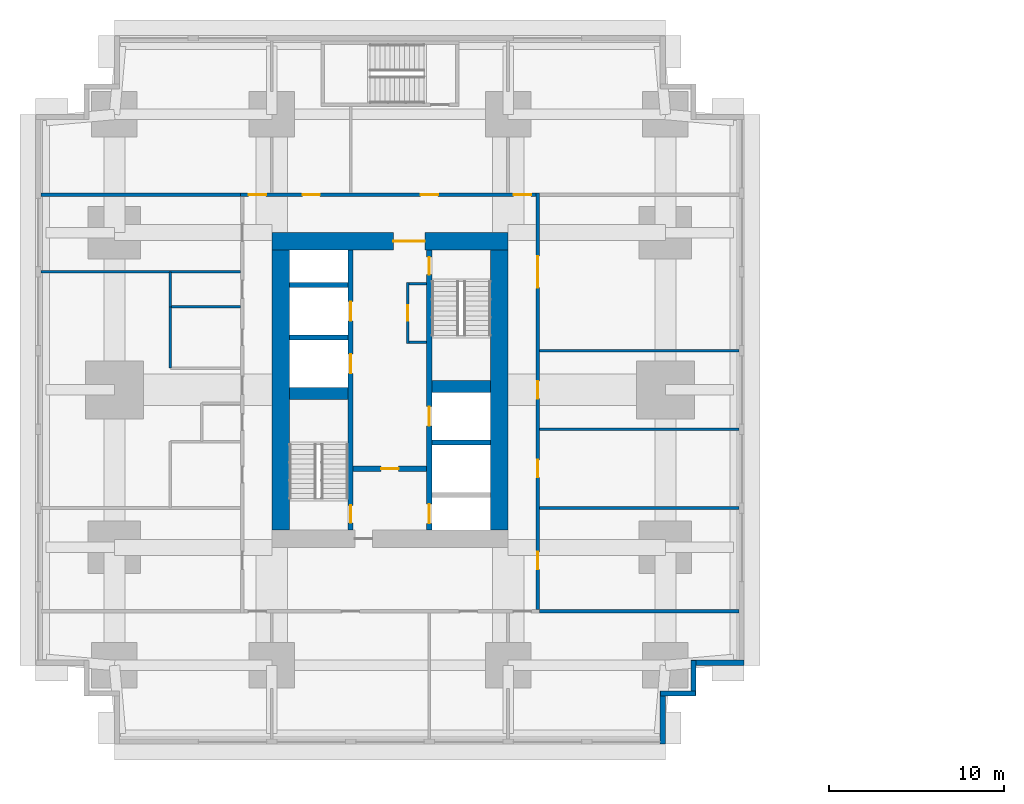
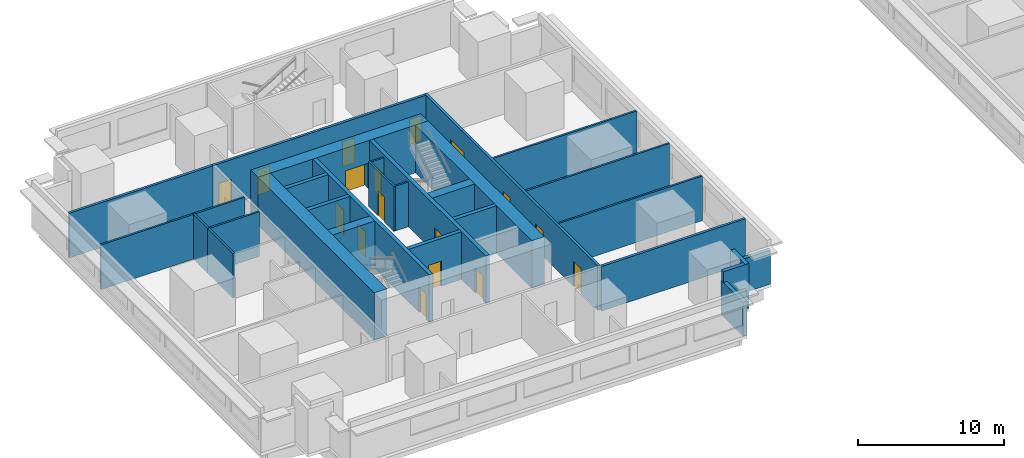
# One storey, part 4 of 11: 29 walls, 17 doors, 17 openings.
"""IFC4 building model written with IfcOpenShell, lengths in metres."""

from ifc_helpers import new_model, si_unit, direction, frame, frame_2d, origin, place, context, subcontext, project, spatial, rectangle, extrude, material, layer, layer_set, type_object, element, fill, save


model = new_model("IFC4")

# Units and contexts
model_context = context("Model", 3, precision=1e-05, world=origin(), true_north=direction((0.0, 1.0)))
body_context = subcontext(model_context, "Body", "Model", "MODEL_VIEW")
ifc_project = project(units=[si_unit("LENGTHUNIT", "METRE"), si_unit("AREAUNIT", "SQUARE_METRE"), si_unit("VOLUMEUNIT", "CUBIC_METRE"), si_unit("PLANEANGLEUNIT", "RADIAN"), si_unit("MASSUNIT", "GRAM", prefix="KILO")], contexts=[model_context])

# Site, building, storey
site_placement = place(None, origin())
site = spatial("IfcSite", under=ifc_project, at=site_placement, CompositionType="ELEMENT")
building_placement = place(site_placement, origin())
building = spatial("IfcBuilding", under=site, at=building_placement, Name="Namib Vertical Campus", CompositionType="ELEMENT")
storey_placement = place(building_placement, frame((0.0, 0.0, 33.0)))
storey = spatial("IfcBuildingStorey", under=building, at=storey_placement, Name="L07", CompositionType="ELEMENT", Elevation=33.0)

# Wall, openings, doors
ifc_material_1 = material(Name="Concrete C60/75", Category="concrete")
ifc_layer_1 = layer(ifc_material_1, 0.300048828125)
ifc_layer_set_1 = layer_set([ifc_layer_1], Name="Concrete C60/75")
wall_type_1 = type_object("IfcWallType", Name="Core inner wall 300", PredefinedType="SHEAR", material=ifc_layer_set_1)
wall_1_placement = place(storey_placement, frame((18.0, 12.25, 0.0), z_axis=(0.0, 0.0, 1.0), x_axis=(0.0, 1.0, 0.0)))
wall_1 = element("IfcWall", 1, at=wall_1_placement, inside=storey, type_object=wall_type_1, Name="Core inner wall A L07 W1", PredefinedType="SHEAR", context=body_context, shape_type="SweptSolid", body=[
    extrude(rectangle(XDim=16.0, YDim=0.300048828125, at=frame_2d((8.0, 0.0))), origin(), (0.0, 0.0, 1.0), 4.0),
])
opening_1_placement = place(wall_1_placement, frame((0.39990234375, 0.0, 0.0)))
opening_1 = element("IfcOpeningElement", 2, at=opening_1_placement, cuts=wall_1, Name="Opening FD1", PredefinedType="OPENING", context=body_context, shape_type="SweptSolid", body=[
    extrude(rectangle(XDim=1.0, YDim=2.10009765625, at=frame_2d((0.5, 1.050048828125))), frame((0.0, 0.159912109375, 0.0), z_axis=(0.0, -1.0, 0.0), x_axis=(1.0, 0.0, 0.0)), (0.0, 0.0, 1.0), 0.320068359375),
])
opening_2_placement = place(wall_1_placement, frame((8.949951171875, 0.0, 0.0)))
opening_2 = element("IfcOpeningElement", 3, at=opening_2_placement, cuts=wall_1, Name="Opening LD1", PredefinedType="OPENING", context=body_context, shape_type="SweptSolid", body=[
    extrude(rectangle(XDim=1.10009765625, YDim=2.10009765625, at=frame_2d((0.550048828125, 1.050048828125))), frame((0.0, 0.159912109375, 0.0), z_axis=(0.0, -1.0, 0.0), x_axis=(1.0, 0.0, 0.0)), (0.0, 0.0, 1.0), 0.320068359375),
])
opening_3_placement = place(wall_1_placement, frame((11.949951171875, 0.0, 0.0)))
opening_3 = element("IfcOpeningElement", 4, at=opening_3_placement, cuts=wall_1, Name="Opening LD1", PredefinedType="OPENING", context=body_context, shape_type="SweptSolid", body=[
    extrude(rectangle(XDim=1.10009765625, YDim=2.10009765625, at=frame_2d((0.550048828125, 1.050048828125))), frame((0.0, 0.159912109375, 0.0), z_axis=(0.0, -1.0, 0.0), x_axis=(1.0, 0.0, 0.0)), (0.0, 0.0, 1.0), 0.320068359375),
])
ifc_material_2 = material(Name="Steel fire door", Category="steel")
door_type_1 = type_object("IfcDoorType", Name="Fire door 1000x2100", OperationType="SINGLE_SWING_RIGHT", PredefinedType="DOOR", material=ifc_material_2)
door_1_placement = place(opening_1_placement, origin())
door_1 = element("IfcDoor", 5, at=door_1_placement, inside=storey, type_object=door_type_1, Name="Stair door FD1 A L07 S1", OperationType="SINGLE_SWING_LEFT", OverallHeight=2.10009765625, OverallWidth=1.0, PredefinedType="DOOR", context=body_context, shape_type="SweptSolid", body=[
    extrude(rectangle(XDim=1.0, YDim=2.10009765625, at=frame_2d((0.5, 1.050048828125))), frame((0.0, 0.02490234375, 0.0), z_axis=(0.0, -1.0, 0.0), x_axis=(1.0, 0.0, 0.0)), (0.0, 0.0, 1.0), 0.050048828125),
])
fill(opening_1, door_1)
ifc_material_3 = material(Name="Stainless steel lift door", Category="steel")
door_type_2 = type_object("IfcDoorType", Name="Lift landing door 1100x2100", OperationType="DOUBLE_DOOR_SLIDING", PredefinedType="DOOR", material=ifc_material_3)
door_2_placement = place(opening_2_placement, origin())
door_2 = element("IfcDoor", 6, at=door_2_placement, inside=storey, type_object=door_type_2, Name="Lift landing door LD1 A-P1 L07", OperationType="DOUBLE_DOOR_SLIDING", OverallHeight=2.10009765625, OverallWidth=1.10009765625, PredefinedType="DOOR", context=body_context, shape_type="SweptSolid", body=[
    extrude(rectangle(XDim=1.10009765625, YDim=2.10009765625, at=frame_2d((0.550048828125, 1.050048828125))), frame((0.0, 0.02490234375, 0.0), z_axis=(0.0, -1.0, 0.0), x_axis=(1.0, 0.0, 0.0)), (0.0, 0.0, 1.0), 0.050048828125),
])
fill(opening_2, door_2)
door_3_placement = place(opening_3_placement, origin())
door_3 = element("IfcDoor", 7, at=door_3_placement, inside=storey, type_object=door_type_2, Name="Lift landing door LD1 A-P2 L07", OperationType="DOUBLE_DOOR_SLIDING", OverallHeight=2.10009765625, OverallWidth=1.10009765625, PredefinedType="DOOR", context=body_context, shape_type="SweptSolid", body=[
    extrude(rectangle(XDim=1.10009765625, YDim=2.10009765625, at=frame_2d((0.550048828125, 1.050048828125))), frame((0.0, 0.02490234375, 0.0), z_axis=(0.0, -1.0, 0.0), x_axis=(1.0, 0.0, 0.0)), (0.0, 0.0, 1.0), 0.050048828125),
])
fill(opening_3, door_3)

wall_2_placement = place(storey_placement, frame((22.5, 12.25, 0.0), z_axis=(0.0, 0.0, 1.0), x_axis=(0.0, 1.0, 0.0)))
wall_2 = element("IfcWall", 8, at=wall_2_placement, inside=storey, type_object=wall_type_1, Name="Core inner wall A L07 W2", PredefinedType="SHEAR", context=body_context, shape_type="SweptSolid", body=[
    extrude(rectangle(XDim=16.0, YDim=0.300048828125, at=frame_2d((8.0, 0.0))), origin(), (0.0, 0.0, 1.0), 4.0),
])
opening_4_placement = place(wall_2_placement, frame((14.60009765625, 0.0, 0.0)))
opening_4 = element("IfcOpeningElement", 9, at=opening_4_placement, cuts=wall_2, Name="Opening FD1", PredefinedType="OPENING", context=body_context, shape_type="SweptSolid", body=[
    extrude(rectangle(XDim=1.0, YDim=2.10009765625, at=frame_2d((0.5, 1.050048828125))), frame((0.0, 0.159912109375, 0.0), z_axis=(0.0, -1.0, 0.0), x_axis=(1.0, 0.0, 0.0)), (0.0, 0.0, 1.0), 0.320068359375),
])
opening_5_placement = place(wall_2_placement, frame((0.375, 0.0, 0.0)))
opening_5 = element("IfcOpeningElement", 10, at=opening_5_placement, cuts=wall_2, Name="Opening LD1", PredefinedType="OPENING", context=body_context, shape_type="SweptSolid", body=[
    extrude(rectangle(XDim=1.10009765625, YDim=2.10009765625, at=frame_2d((0.550048828125, 1.050048828125))), frame((0.0, 0.159912109375, 0.0), z_axis=(0.0, -1.0, 0.0), x_axis=(1.0, 0.0, 0.0)), (0.0, 0.0, 1.0), 0.320068359375),
])
opening_6_placement = place(wall_2_placement, frame((5.949951171875, 0.0, 0.0)))
opening_6 = element("IfcOpeningElement", 11, at=opening_6_placement, cuts=wall_2, Name="Opening LD1", PredefinedType="OPENING", context=body_context, shape_type="SweptSolid", body=[
    extrude(rectangle(XDim=1.10009765625, YDim=2.10009765625, at=frame_2d((0.550048828125, 1.050048828125))), frame((0.0, 0.159912109375, 0.0), z_axis=(0.0, -1.0, 0.0), x_axis=(1.0, 0.0, 0.0)), (0.0, 0.0, 1.0), 0.320068359375),
])
door_4_placement = place(opening_4_placement, frame((1.0, 0.0, 0.0), z_axis=(0.0, 0.0, 1.0), x_axis=(-1.0, 0.0, 0.0)))
door_4 = element("IfcDoor", 12, at=door_4_placement, inside=storey, type_object=door_type_1, Name="Stair door FD1 A L07 S2", OperationType="SINGLE_SWING_LEFT", OverallHeight=2.10009765625, OverallWidth=1.0, PredefinedType="DOOR", context=body_context, shape_type="SweptSolid", body=[
    extrude(rectangle(XDim=1.0, YDim=2.10009765625, at=frame_2d((0.5, 1.050048828125))), frame((0.0, 0.02490234375, 0.0), z_axis=(0.0, -1.0, 0.0), x_axis=(1.0, 0.0, 0.0)), (0.0, 0.0, 1.0), 0.050048828125),
])
fill(opening_4, door_4)
door_5_placement = place(opening_5_placement, origin())
door_5 = element("IfcDoor", 13, at=door_5_placement, inside=storey, type_object=door_type_2, Name="Lift landing door LD1 A-FL1 L07", OperationType="DOUBLE_DOOR_SLIDING", OverallHeight=2.10009765625, OverallWidth=1.10009765625, PredefinedType="DOOR", context=body_context, shape_type="SweptSolid", body=[
    extrude(rectangle(XDim=1.10009765625, YDim=2.10009765625, at=frame_2d((0.550048828125, 1.050048828125))), frame((0.0, 0.02490234375, 0.0), z_axis=(0.0, -1.0, 0.0), x_axis=(1.0, 0.0, 0.0)), (0.0, 0.0, 1.0), 0.050048828125),
])
fill(opening_5, door_5)
door_6_placement = place(opening_6_placement, origin())
door_6 = element("IfcDoor", 14, at=door_6_placement, inside=storey, type_object=door_type_2, Name="Lift landing door LD1 A-P5 L07", OperationType="DOUBLE_DOOR_SLIDING", OverallHeight=2.10009765625, OverallWidth=1.10009765625, PredefinedType="DOOR", context=body_context, shape_type="SweptSolid", body=[
    extrude(rectangle(XDim=1.10009765625, YDim=2.10009765625, at=frame_2d((0.550048828125, 1.050048828125))), frame((0.0, 0.02490234375, 0.0), z_axis=(0.0, -1.0, 0.0), x_axis=(1.0, 0.0, 0.0)), (0.0, 0.0, 1.0), 0.050048828125),
])
fill(opening_6, door_6)

# Wall, opening, door
wall_3_placement = place(storey_placement, frame((18.14990234375, 15.75, 0.0), z_axis=(0.0, 0.0, 1.0), x_axis=(1.0, 0.0, 0.0)))
wall_3 = element("IfcWall", 15, at=wall_3_placement, inside=storey, type_object=wall_type_1, Name="Core inner wall A L07 W4", PredefinedType="SHEAR", context=body_context, shape_type="SweptSolid", body=[
    extrude(rectangle(XDim=4.2001953125, YDim=0.300048828125, at=frame_2d((2.10009765625, 0.0))), origin(), (0.0, 0.0, 1.0), 4.0),
])
opening_7_placement = place(wall_3_placement, frame((1.60009765625, 0.0, 0.0)))
opening_7 = element("IfcOpeningElement", 16, at=opening_7_placement, cuts=wall_3, Name="Opening FD5", PredefinedType="OPENING", context=body_context, shape_type="SweptSolid", body=[
    extrude(rectangle(XDim=1.0, YDim=2.10009765625, at=frame_2d((0.5, 1.050048828125))), frame((0.0, 0.159912109375, 0.0), z_axis=(0.0, -1.0, 0.0), x_axis=(1.0, 0.0, 0.0)), (0.0, 0.0, 1.0), 0.320068359375),
])
ifc_material_4 = material(Name="Steel fire door", Category="steel")
door_type_3 = type_object("IfcDoorType", Name="Fire door 1000x2100 120 min", OperationType="SINGLE_SWING_RIGHT", PredefinedType="DOOR", material=ifc_material_4)
door_7_placement = place(opening_7_placement, frame((1.0, 0.0, 0.0), z_axis=(0.0, 0.0, 1.0), x_axis=(-1.0, 0.0, 0.0)))
door_7 = element("IfcDoor", 17, at=door_7_placement, inside=storey, type_object=door_type_3, Name="Lobby door FD5 A L07", OperationType="SINGLE_SWING_RIGHT", OverallHeight=2.10009765625, OverallWidth=1.0, PredefinedType="DOOR", context=body_context, shape_type="SweptSolid", body=[
    extrude(rectangle(XDim=1.0, YDim=2.10009765625, at=frame_2d((0.5, 1.050048828125))), frame((0.0, 0.02490234375, 0.0), z_axis=(0.0, -1.0, 0.0), x_axis=(1.0, 0.0, 0.0)), (0.0, 0.0, 1.0), 0.050048828125),
])
fill(opening_7, door_7)

# Walls
for number, where, z_axis, x_axis, name in (
    (18, (22.64990234375, 17.25, 0.0), (0.0, 0.0, 1.0), (1.0, 0.0, 0.0), "Core inner wall A L07 W6"),
    (19, (14.5, 23.25, 0.0), (0.0, 0.0, 1.0), (1.0, 0.0, 0.0), "Core inner wall A L07 W8"),
    (20, (14.5, 26.25, 0.0), (0.0, 0.0, 1.0), (1.0, 0.0, 0.0), "Core inner wall A L07 W9"),
):
    element("IfcWall", number, at=place(storey_placement, frame(where, z_axis=z_axis, x_axis=x_axis)), inside=storey, type_object=wall_type_1, Name=name, PredefinedType="SHEAR", context=body_context, shape_type="SweptSolid", body=[
        extrude(rectangle(XDim=3.35009765625, YDim=0.300048828125, at=frame_2d((1.675048828125, 0.0))), origin(), (0.0, 0.0, 1.0), 4.0),
    ])
ifc_material_5 = material(Name="Concrete C60/75", Category="concrete")
ifc_layer_2 = layer(ifc_material_5, 0.699951171875)
ifc_layer_set_2 = layer_set([ifc_layer_2], Name="Concrete C60/75")
wall_type_2 = type_object("IfcWallType", Name="Core shear wall 700", PredefinedType="SHEAR", material=ifc_layer_set_2)
for number, where, z_axis, x_axis, name in (
    (21, (14.5, 20.050048828125, 0.0), (0.0, 0.0, 1.0), (1.0, 0.0, 0.0), "Core shear wall A L07 W3"),
    (22, (22.64990234375, 20.449951171875, 0.0), (0.0, 0.0, 1.0), (1.0, 0.0, 0.0), "Core shear wall A L07 W7"),
):
    element("IfcWall", number, at=place(storey_placement, frame(where, z_axis=z_axis, x_axis=x_axis)), inside=storey, type_object=wall_type_2, Name=name, PredefinedType="SHEAR", context=body_context, shape_type="SweptSolid", body=[
        extrude(rectangle(XDim=3.35009765625, YDim=0.699951171875, at=frame_2d((1.675048828125, 0.0))), origin(), (0.0, 0.0, 1.0), 4.0),
    ])
ifc_material_6 = material(Name="Concrete C60/75", Category="concrete")
ifc_layer_3 = layer(ifc_material_6, 1.0)
ifc_layer_set_3 = layer_set([ifc_layer_3], Name="Concrete C60/75")
wall_type_3 = type_object("IfcWallType", Name="Core wall 1000", PredefinedType="SHEAR", material=ifc_layer_set_3)
wall_4_placement = place(storey_placement, frame((26.5, 12.25, 0.0), z_axis=(0.0, 0.0, 1.0), x_axis=(0.0, 1.0, 0.0)))
element("IfcWall", 23, at=wall_4_placement, inside=storey, type_object=wall_type_3, Name="Core wall A L07 2", PredefinedType="SHEAR", context=body_context, shape_type="SweptSolid", body=[
    extrude(rectangle(XDim=16.0, YDim=1.0, at=frame_2d((8.0, 0.0))), origin(), (0.0, 0.0, 1.0), 4.0),
])

# Wall, opening, door
wall_5_placement = place(storey_placement, frame((27.0, 28.75, 0.0), z_axis=(0.0, 0.0, 1.0), x_axis=(-1.0, 0.0, 0.0)))
wall_5 = element("IfcWall", 24, at=wall_5_placement, inside=storey, type_object=wall_type_3, Name="Core wall A L07 3", PredefinedType="SHEAR", context=body_context, shape_type="SweptSolid", body=[
    extrude(rectangle(XDim=13.5, YDim=1.0, at=frame_2d((6.75, 0.0))), origin(), (0.0, 0.0, 1.0), 4.0),
])
opening_8_placement = place(wall_5_placement, frame((4.75, 0.0, 0.0)))
opening_8 = element("IfcOpeningElement", 25, at=opening_8_placement, cuts=wall_5, Name="Opening FD2", PredefinedType="OPENING", context=body_context, shape_type="SweptSolid", body=[
    extrude(rectangle(XDim=1.800048828125, YDim=2.10009765625, at=frame_2d((0.89990234375, 1.050048828125))), frame((0.0, 0.510009765625, 0.0), z_axis=(0.0, -1.0, 0.0), x_axis=(1.0, 0.0, 0.0)), (0.0, 0.0, 1.0), 1.02001953125),
])
ifc_material_7 = material(Name="Steel fire door", Category="steel")
door_type_4 = type_object("IfcDoorType", Name="Fire door double 1800x2100", OperationType="DOUBLE_DOOR_SINGLE_SWING", PredefinedType="DOOR", material=ifc_material_7)
door_8_placement = place(opening_8_placement, origin())
door_8 = element("IfcDoor", 26, at=door_8_placement, inside=storey, type_object=door_type_4, Name="Lift lobby door FD2 A L07", OperationType="DOUBLE_DOOR_SINGLE_SWING", OverallHeight=2.10009765625, OverallWidth=1.800048828125, PredefinedType="DOOR", context=body_context, shape_type="SweptSolid", body=[
    extrude(rectangle(XDim=1.800048828125, YDim=2.10009765625, at=frame_2d((0.89990234375, 1.050048828125))), frame((0.0, 0.02490234375, 0.0), z_axis=(0.0, -1.0, 0.0), x_axis=(1.0, 0.0, 0.0)), (0.0, 0.0, 1.0), 0.050048828125),
])
fill(opening_8, door_8)

# Wall
wall_6_placement = place(storey_placement, frame((14.0, 28.25, 0.0), z_axis=(0.0, 0.0, 1.0), x_axis=(0.0, -1.0, 0.0)))
element("IfcWall", 27, at=wall_6_placement, inside=storey, type_object=wall_type_3, Name="Core wall A L07 4", PredefinedType="SHEAR", context=body_context, shape_type="SweptSolid", body=[
    extrude(rectangle(XDim=16.0, YDim=1.0, at=frame_2d((8.0, 0.0))), origin(), (0.0, 0.0, 1.0), 4.0),
])

# Wall, openings, doors
ifc_material_8 = material(Name="Concrete masonry", Category="masonry")
ifc_layer_4 = layer(ifc_material_8, 0.199951171875)
ifc_layer_set_4 = layer_set([ifc_layer_4], Name="Corridor wall 200")
wall_type_4 = type_object("IfcWallType", Name="Corridor wall 200", PredefinedType="SOLIDWALL", material=ifc_layer_set_4)
wall_7_placement = place(storey_placement, frame((28.699951171875, 7.699951171875, 0.0), z_axis=(0.0, 0.0, 1.0), x_axis=(0.0, 1.0, 0.0)))
wall_7 = element("IfcWall", 28, at=wall_7_placement, inside=storey, type_object=wall_type_4, Name="Corridor wall A L07 CE", PredefinedType="SOLIDWALL", context=body_context, shape_type="SweptSolid", body=[
    extrude(rectangle(XDim=23.800048828125, YDim=0.199951171875, at=frame_2d((11.89990234375, 0.0))), origin(), (0.0, 0.0, 1.0), 3.75),
])
opening_9_placement = place(wall_7_placement, frame((2.300048828125, 0.0, 0.0)))
opening_9 = element("IfcOpeningElement", 29, at=opening_9_placement, cuts=wall_7, Name="Opening CD1", PredefinedType="OPENING", context=body_context, shape_type="SweptSolid", body=[
    extrude(rectangle(XDim=1.0, YDim=2.10009765625, at=frame_2d((0.5, 1.050048828125))), frame((0.0, 0.10986328125, 0.0), z_axis=(0.0, -1.0, 0.0), x_axis=(1.0, 0.0, 0.0)), (0.0, 0.0, 1.0), 0.219970703125),
])
opening_10_placement = place(wall_7_placement, frame((7.550048828125, 0.0, 0.0)))
opening_10 = element("IfcOpeningElement", 30, at=opening_10_placement, cuts=wall_7, Name="Opening CD1", PredefinedType="OPENING", context=body_context, shape_type="SweptSolid", body=[
    extrude(rectangle(XDim=1.0, YDim=2.10009765625, at=frame_2d((0.5, 1.050048828125))), frame((0.0, 0.10986328125, 0.0), z_axis=(0.0, -1.0, 0.0), x_axis=(1.0, 0.0, 0.0)), (0.0, 0.0, 1.0), 0.219970703125),
])
opening_11_placement = place(wall_7_placement, frame((12.050048828125, 0.0, 0.0)))
opening_11 = element("IfcOpeningElement", 31, at=opening_11_placement, cuts=wall_7, Name="Opening CD1", PredefinedType="OPENING", context=body_context, shape_type="SweptSolid", body=[
    extrude(rectangle(XDim=1.0, YDim=2.10009765625, at=frame_2d((0.5, 1.050048828125))), frame((0.0, 0.10986328125, 0.0), z_axis=(0.0, -1.0, 0.0), x_axis=(1.0, 0.0, 0.0)), (0.0, 0.0, 1.0), 0.219970703125),
])
opening_12_placement = place(wall_7_placement, frame((18.39990234375, 0.0, 0.0)))
opening_12 = element("IfcOpeningElement", 32, at=opening_12_placement, cuts=wall_7, Name="Opening CD2", PredefinedType="OPENING", context=body_context, shape_type="SweptSolid", body=[
    extrude(rectangle(XDim=1.800048828125, YDim=2.10009765625, at=frame_2d((0.89990234375, 1.050048828125))), frame((0.0, 0.10986328125, 0.0), z_axis=(0.0, -1.0, 0.0), x_axis=(1.0, 0.0, 0.0)), (0.0, 0.0, 1.0), 0.219970703125),
])
ifc_material_9 = material(Name="Timber fire door leaf", Category="wood")
door_type_5 = type_object("IfcDoorType", Name="Corridor door 1000x2100 20 min", OperationType="SINGLE_SWING_LEFT", PredefinedType="DOOR", material=ifc_material_9)
door_9_placement = place(opening_9_placement, frame((1.0, 0.0, 0.0), z_axis=(0.0, 0.0, 1.0), x_axis=(-1.0, 0.0, 0.0)))
door_9 = element("IfcDoor", 33, at=door_9_placement, inside=storey, type_object=door_type_5, Name="Door CD1 A07-05", OperationType="SINGLE_SWING_RIGHT", OverallHeight=2.10009765625, OverallWidth=1.0, PredefinedType="DOOR", context=body_context, shape_type="SweptSolid", body=[
    extrude(rectangle(XDim=1.0, YDim=2.10009765625, at=frame_2d((0.5, 1.050048828125))), frame((0.0, 0.02490234375, 0.0), z_axis=(0.0, -1.0, 0.0), x_axis=(1.0, 0.0, 0.0)), (0.0, 0.0, 1.0), 0.050048828125),
])
fill(opening_9, door_9)
door_10_placement = place(opening_10_placement, frame((1.0, 0.0, 0.0), z_axis=(0.0, 0.0, 1.0), x_axis=(-1.0, 0.0, 0.0)))
door_10 = element("IfcDoor", 34, at=door_10_placement, inside=storey, type_object=door_type_5, Name="Door CD1 A07-06", OperationType="SINGLE_SWING_RIGHT", OverallHeight=2.10009765625, OverallWidth=1.0, PredefinedType="DOOR", context=body_context, shape_type="SweptSolid", body=[
    extrude(rectangle(XDim=1.0, YDim=2.10009765625, at=frame_2d((0.5, 1.050048828125))), frame((0.0, 0.02490234375, 0.0), z_axis=(0.0, -1.0, 0.0), x_axis=(1.0, 0.0, 0.0)), (0.0, 0.0, 1.0), 0.050048828125),
])
fill(opening_10, door_10)
door_11_placement = place(opening_11_placement, frame((1.0, 0.0, 0.0), z_axis=(0.0, 0.0, 1.0), x_axis=(-1.0, 0.0, 0.0)))
door_11 = element("IfcDoor", 35, at=door_11_placement, inside=storey, type_object=door_type_5, Name="Door CD1 A07-07", OperationType="SINGLE_SWING_RIGHT", OverallHeight=2.10009765625, OverallWidth=1.0, PredefinedType="DOOR", context=body_context, shape_type="SweptSolid", body=[
    extrude(rectangle(XDim=1.0, YDim=2.10009765625, at=frame_2d((0.5, 1.050048828125))), frame((0.0, 0.02490234375, 0.0), z_axis=(0.0, -1.0, 0.0), x_axis=(1.0, 0.0, 0.0)), (0.0, 0.0, 1.0), 0.050048828125),
])
fill(opening_11, door_11)
ifc_material_10 = material(Name="Timber fire door leaf", Category="wood")
door_type_6 = type_object("IfcDoorType", Name="Corridor door double 1800x2100 20 min", OperationType="DOUBLE_DOOR_SINGLE_SWING", PredefinedType="DOOR", material=ifc_material_10)
door_12_placement = place(opening_12_placement, frame((1.800048828125, 0.0, 0.0), z_axis=(0.0, 0.0, 1.0), x_axis=(-1.0, 0.0, 0.0)))
door_12 = element("IfcDoor", 36, at=door_12_placement, inside=storey, type_object=door_type_6, Name="Door CD2 A07-08", OperationType="DOUBLE_DOOR_SINGLE_SWING", OverallHeight=2.10009765625, OverallWidth=1.800048828125, PredefinedType="DOOR", context=body_context, shape_type="SweptSolid", body=[
    extrude(rectangle(XDim=1.800048828125, YDim=2.10009765625, at=frame_2d((0.89990234375, 1.050048828125))), frame((0.0, 0.02490234375, 0.0), z_axis=(0.0, -1.0, 0.0), x_axis=(1.0, 0.0, 0.0)), (0.0, 0.0, 1.0), 0.050048828125),
])
fill(opening_12, door_12)

wall_8_placement = place(storey_placement, frame((28.60009765625, 31.39990234375, 0.0), z_axis=(0.0, 0.0, 1.0), x_axis=(-1.0, 0.0, 0.0)))
wall_8 = element("IfcWall", 37, at=wall_8_placement, inside=storey, type_object=wall_type_4, Name="Corridor wall A L07 CN", PredefinedType="SOLIDWALL", context=body_context, shape_type="SweptSolid", body=[
    extrude(rectangle(XDim=16.900146484375, YDim=0.199951171875, at=frame_2d((8.4501953125, 0.0))), origin(), (0.0, 0.0, 1.0), 3.75),
])
opening_13_placement = place(wall_8_placement, frame((15.425048828125, 0.0, 0.0)))
opening_13 = element("IfcOpeningElement", 38, at=opening_13_placement, cuts=wall_8, Name="Opening CD1", PredefinedType="OPENING", context=body_context, shape_type="SweptSolid", body=[
    extrude(rectangle(XDim=1.0, YDim=2.10009765625, at=frame_2d((0.5, 1.050048828125))), frame((0.0, 0.10986328125, 0.0), z_axis=(0.0, -1.0, 0.0), x_axis=(1.0, 0.0, 0.0)), (0.0, 0.0, 1.0), 0.219970703125),
])
opening_14_placement = place(wall_8_placement, frame((12.35009765625, 0.0, 0.0)))
opening_14 = element("IfcOpeningElement", 39, at=opening_14_placement, cuts=wall_8, Name="Opening CD1", PredefinedType="OPENING", context=body_context, shape_type="SweptSolid", body=[
    extrude(rectangle(XDim=1.0, YDim=2.10009765625, at=frame_2d((0.5, 1.050048828125))), frame((0.0, 0.10986328125, 0.0), z_axis=(0.0, -1.0, 0.0), x_axis=(1.0, 0.0, 0.0)), (0.0, 0.0, 1.0), 0.219970703125),
])
opening_15_placement = place(wall_8_placement, frame((5.60009765625, 0.0, 0.0)))
opening_15 = element("IfcOpeningElement", 40, at=opening_15_placement, cuts=wall_8, Name="Opening CD4", PredefinedType="OPENING", context=body_context, shape_type="SweptSolid", body=[
    extrude(rectangle(XDim=1.0, YDim=2.10009765625, at=frame_2d((0.5, 1.050048828125))), frame((0.0, 0.10986328125, 0.0), z_axis=(0.0, -1.0, 0.0), x_axis=(1.0, 0.0, 0.0)), (0.0, 0.0, 1.0), 0.219970703125),
])
opening_16_placement = place(wall_8_placement, frame((0.27490234375, 0.0, 0.0)))
opening_16 = element("IfcOpeningElement", 41, at=opening_16_placement, cuts=wall_8, Name="Opening CD1", PredefinedType="OPENING", context=body_context, shape_type="SweptSolid", body=[
    extrude(rectangle(XDim=1.0, YDim=2.10009765625, at=frame_2d((0.5, 1.050048828125))), frame((0.0, 0.10986328125, 0.0), z_axis=(0.0, -1.0, 0.0), x_axis=(1.0, 0.0, 0.0)), (0.0, 0.0, 1.0), 0.219970703125),
])
door_13_placement = place(opening_13_placement, frame((1.0, 0.0, 0.0), z_axis=(0.0, 0.0, 1.0), x_axis=(-1.0, 0.0, 0.0)))
door_13 = element("IfcDoor", 42, at=door_13_placement, inside=storey, type_object=door_type_5, Name="Door CD1 A07-09", OperationType="SINGLE_SWING_RIGHT", OverallHeight=2.10009765625, OverallWidth=1.0, PredefinedType="DOOR", context=body_context, shape_type="SweptSolid", body=[
    extrude(rectangle(XDim=1.0, YDim=2.10009765625, at=frame_2d((0.5, 1.050048828125))), frame((0.0, 0.02490234375, 0.0), z_axis=(0.0, -1.0, 0.0), x_axis=(1.0, 0.0, 0.0)), (0.0, 0.0, 1.0), 0.050048828125),
])
fill(opening_13, door_13)
door_14_placement = place(opening_14_placement, frame((1.0, 0.0, 0.0), z_axis=(0.0, 0.0, 1.0), x_axis=(-1.0, 0.0, 0.0)))
door_14 = element("IfcDoor", 43, at=door_14_placement, inside=storey, type_object=door_type_5, Name="Door CD1 A07-10", OperationType="SINGLE_SWING_RIGHT", OverallHeight=2.10009765625, OverallWidth=1.0, PredefinedType="DOOR", context=body_context, shape_type="SweptSolid", body=[
    extrude(rectangle(XDim=1.0, YDim=2.10009765625, at=frame_2d((0.5, 1.050048828125))), frame((0.0, 0.02490234375, 0.0), z_axis=(0.0, -1.0, 0.0), x_axis=(1.0, 0.0, 0.0)), (0.0, 0.0, 1.0), 0.050048828125),
])
fill(opening_14, door_14)
door_15_placement = place(opening_16_placement, frame((1.0, 0.0, 0.0), z_axis=(0.0, 0.0, 1.0), x_axis=(-1.0, 0.0, 0.0)))
door_15 = element("IfcDoor", 44, at=door_15_placement, inside=storey, type_object=door_type_5, Name="Door CD1 A07-12", OperationType="SINGLE_SWING_LEFT", OverallHeight=2.10009765625, OverallWidth=1.0, PredefinedType="DOOR", context=body_context, shape_type="SweptSolid", body=[
    extrude(rectangle(XDim=1.0, YDim=2.10009765625, at=frame_2d((0.5, 1.050048828125))), frame((0.0, 0.02490234375, 0.0), z_axis=(0.0, -1.0, 0.0), x_axis=(1.0, 0.0, 0.0)), (0.0, 0.0, 1.0), 0.050048828125),
])
fill(opening_16, door_15)
ifc_material_11 = material(Name="Timber fire door leaf", Category="wood")
door_type_7 = type_object("IfcDoorType", Name="Corridor door 1000x2100 20 min double-acting", OperationType="DOUBLE_SWING_LEFT", PredefinedType="DOOR", material=ifc_material_11)
door_16_placement = place(opening_15_placement, origin())
door_16 = element("IfcDoor", 45, at=door_16_placement, inside=storey, type_object=door_type_7, Name="Door CD4 A07-11", OperationType="DOUBLE_SWING_LEFT", OverallHeight=2.10009765625, OverallWidth=1.0, PredefinedType="DOOR", context=body_context, shape_type="SweptSolid", body=[
    extrude(rectangle(XDim=1.0, YDim=2.10009765625, at=frame_2d((0.5, 1.050048828125))), frame((0.0, 0.02490234375, 0.0), z_axis=(0.0, -1.0, 0.0), x_axis=(1.0, 0.0, 0.0)), (0.0, 0.0, 1.0), 0.050048828125),
])
fill(opening_15, door_16)

# Walls
for number, where, z_axis, x_axis, name in (
    (46, (28.800048828125, 7.60009765625, 0.0), (0.0, 0.0, 1.0), (1.0, 0.0, 0.0), "Partition A L07 BSE"),
    (47, (0.300048828125, 31.39990234375, 0.0), (0.0, 0.0, 1.0), (1.0, 0.0, 0.0), "Partition A L07 BNW"),
):
    element("IfcWall", number, at=place(storey_placement, frame(where, z_axis=z_axis, x_axis=x_axis)), inside=storey, type_object=wall_type_4, Name=name, PredefinedType="SOLIDWALL", context=body_context, shape_type="SweptSolid", body=[
        extrude(rectangle(XDim=11.39990234375, YDim=0.199951171875, at=frame_2d((5.699951171875, 0.0))), origin(), (0.0, 0.0, 1.0), 3.75),
    ])
ifc_material_12 = material(Name="Concrete C40/50", Category="concrete")
ifc_layer_5 = layer(ifc_material_12, 0.300048828125)
ifc_layer_set_5 = layer_set([ifc_layer_5], Name="Concrete C40/50")
wall_type_5 = type_object("IfcWallType", Name="External wall 300 board-marked concrete", PredefinedType="STANDARD", material=ifc_layer_set_5)
wall_9_placement = place(storey_placement, frame((35.85009765625, 0.02001953125, 0.0), z_axis=(0.0, 0.0, 1.0), x_axis=(0.0, 1.0, 0.0)))
element("IfcWall", 48, at=wall_9_placement, inside=storey, type_object=wall_type_5, Name="External wall L07 F02", PredefinedType="STANDARD", context=body_context, shape_type="SweptSolid", body=[
    extrude(rectangle(XDim=3.010009765625, YDim=0.300048828125, at=frame_2d((1.5048828125, 0.0))), origin(), (0.0, 0.0, 1.0), 2.85009765625),
])
for number, where, z_axis, x_axis, name in (
    (49, (35.719970703125, 2.89990234375, 0.0), (0.0, 0.0, 1.0), (1.0, 0.0, 0.0), "External wall L07 F03"),
    (50, (37.60009765625, 2.77001953125, 0.0), (0.0, 0.0, 1.0), (0.0, 1.0, 0.0), "External wall L07 F04"),
):
    element("IfcWall", number, at=place(storey_placement, frame(where, z_axis=z_axis, x_axis=x_axis)), inside=storey, type_object=wall_type_5, Name=name, PredefinedType="STANDARD", context=body_context, shape_type="SweptSolid", body=[
        extrude(rectangle(XDim=2.010009765625, YDim=0.300048828125, at=frame_2d((1.0048828125, 0.0))), origin(), (0.0, 0.0, 1.0), 3.75),
    ])
wall_10_placement = place(storey_placement, frame((37.469970703125, 4.64990234375, 0.0), z_axis=(0.0, 0.0, 1.0), x_axis=(1.0, 0.0, 0.0)))
element("IfcWall", 51, at=wall_10_placement, inside=storey, type_object=wall_type_5, Name="External wall L07 F05", PredefinedType="STANDARD", context=body_context, shape_type="SweptSolid", body=[
    extrude(rectangle(XDim=3.010009765625, YDim=0.300048828125, at=frame_2d((1.5048828125, 0.0))), origin(), (0.0, 0.0, 1.0), 2.85009765625),
])

# Wall, opening, door
ifc_material_13 = material(Name="Gypsum board on steel studs", Category="steel")
ifc_layer_6 = layer(ifc_material_13, 0.14990234375)
ifc_layer_set_6 = layer_set([ifc_layer_6], Name="Gypsum board on steel studs")
wall_type_6 = type_object("IfcWallType", Name="Partition 150", PredefinedType="PARTITIONING", material=ifc_layer_set_6)
wall_11_placement = place(storey_placement, frame((21.27490234375, 22.89990234375, 0.0), z_axis=(0.0, 0.0, 1.0), x_axis=(0.0, 1.0, 0.0)))
wall_11 = element("IfcWall", 52, at=wall_11_placement, inside=storey, type_object=wall_type_6, Name="Partition A L07 Staff pantry front", PredefinedType="PARTITIONING", context=body_context, shape_type="SweptSolid", body=[
    extrude(rectangle(XDim=3.5, YDim=0.14990234375, at=frame_2d((1.75, 0.0))), origin(), (0.0, 0.0, 1.0), 3.75),
])
opening_17_placement = place(wall_11_placement, frame((1.300048828125, 0.0, 0.0)))
opening_17 = element("IfcOpeningElement", 53, at=opening_17_placement, cuts=wall_11, Name="Opening D3", PredefinedType="OPENING", context=body_context, shape_type="SweptSolid", body=[
    extrude(rectangle(XDim=0.89990234375, YDim=2.10009765625, at=frame_2d((0.449951171875, 1.050048828125))), frame((0.0, 0.0849609375, 0.0), z_axis=(0.0, -1.0, 0.0), x_axis=(1.0, 0.0, 0.0)), (0.0, 0.0, 1.0), 0.169921875),
])
ifc_material_14 = material(Name="Timber door leaf", Category="wood")
door_type_8 = type_object("IfcDoorType", Name="Toilet door 900x2100", OperationType="SINGLE_SWING_LEFT", PredefinedType="DOOR", material=ifc_material_14)
door_17_placement = place(opening_17_placement, frame((0.89990234375, 0.0, 0.0), z_axis=(0.0, 0.0, 1.0), x_axis=(-1.0, 0.0, 0.0)))
door_17 = element("IfcDoor", 54, at=door_17_placement, inside=storey, type_object=door_type_8, Name="Door D3 Staff pantry A L07", OperationType="SINGLE_SWING_RIGHT", OverallHeight=2.10009765625, OverallWidth=0.89990234375, PredefinedType="DOOR", context=body_context, shape_type="SweptSolid", body=[
    extrude(rectangle(XDim=0.89990234375, YDim=2.10009765625, at=frame_2d((0.449951171875, 1.050048828125))), frame((0.0, 0.02490234375, 0.0), z_axis=(0.0, -1.0, 0.0), x_axis=(1.0, 0.0, 0.0)), (0.0, 0.0, 1.0), 0.050048828125),
])
fill(opening_17, door_17)

# Walls
for number, where, z_axis, x_axis, name in (
    (55, (21.35009765625, 22.97509765625, 0.0), (0.0, 0.0, 1.0), (1.0, 0.0, 0.0), "Partition A L07 Staff pantry end 1"),
    (56, (21.35009765625, 26.324951171875, 0.0), (0.0, 0.0, 1.0), (1.0, 0.0, 0.0), "Partition A L07 Staff pantry end 2"),
):
    element("IfcWall", number, at=place(storey_placement, frame(where, z_axis=z_axis, x_axis=x_axis)), inside=storey, type_object=wall_type_6, Name=name, PredefinedType="PARTITIONING", context=body_context, shape_type="SweptSolid", body=[
        extrude(rectangle(XDim=1.0, YDim=0.14990234375, at=frame_2d((0.5, 0.0))), origin(), (0.0, 0.0, 1.0), 3.75),
    ])
for number, where, z_axis, x_axis, name in (
    (57, (0.300048828125, 27.0, 0.0), (0.0, 0.0, 1.0), (1.0, 0.0, 0.0), "Partition A L07 PW2"),
    (58, (28.800048828125, 13.5, 0.0), (0.0, 0.0, 1.0), (1.0, 0.0, 0.0), "Partition A L07 PE1"),
    (59, (28.800048828125, 18.0, 0.0), (0.0, 0.0, 1.0), (1.0, 0.0, 0.0), "Partition A L07 PE2"),
    (60, (28.800048828125, 22.5, 0.0), (0.0, 0.0, 1.0), (1.0, 0.0, 0.0), "Partition A L07 PE3"),
):
    element("IfcWall", number, at=place(storey_placement, frame(where, z_axis=z_axis, x_axis=x_axis)), inside=storey, type_object=wall_type_6, Name=name, PredefinedType="PARTITIONING", context=body_context, shape_type="SweptSolid", body=[
        extrude(rectangle(XDim=11.39990234375, YDim=0.14990234375, at=frame_2d((5.699951171875, 0.0))), origin(), (0.0, 0.0, 1.0), 3.75),
    ])
wall_12_placement = place(storey_placement, frame((11.699951171875, 25.0, 0.0), z_axis=(0.0, 0.0, 1.0), x_axis=(-1.0, 0.0, 0.0)))
element("IfcWall", 61, at=wall_12_placement, inside=storey, type_object=wall_type_6, Name="Partition A L07 WR4", PredefinedType="PARTITIONING", context=body_context, shape_type="SweptSolid", body=[
    extrude(rectangle(XDim=4.0, YDim=0.14990234375, at=frame_2d((2.0, 0.0))), origin(), (0.0, 0.0, 1.0), 3.75),
])
wall_13_placement = place(storey_placement, frame((7.699951171875, 21.5, 0.0), z_axis=(0.0, 0.0, 1.0), x_axis=(0.0, 1.0, 0.0)))
element("IfcWall", 62, at=wall_13_placement, inside=storey, type_object=wall_type_6, Name="Partition A L07 WB3", PredefinedType="PARTITIONING", context=body_context, shape_type="SweptSolid", body=[
    extrude(rectangle(XDim=3.5, YDim=0.14990234375, at=frame_2d((1.75, 0.0))), origin(), (0.0, 0.0, 1.0), 3.75),
])
wall_14_placement = place(storey_placement, frame((7.699951171875, 25.0, 0.0), z_axis=(0.0, 0.0, 1.0), x_axis=(0.0, 1.0, 0.0)))
element("IfcWall", 63, at=wall_14_placement, inside=storey, type_object=wall_type_6, Name="Partition A L07 WB4", PredefinedType="PARTITIONING", context=body_context, shape_type="SweptSolid", body=[
    extrude(rectangle(XDim=2.0, YDim=0.14990234375, at=frame_2d((1.0, 0.0))), origin(), (0.0, 0.0, 1.0), 3.75),
])

save(model, "model.ifc")
